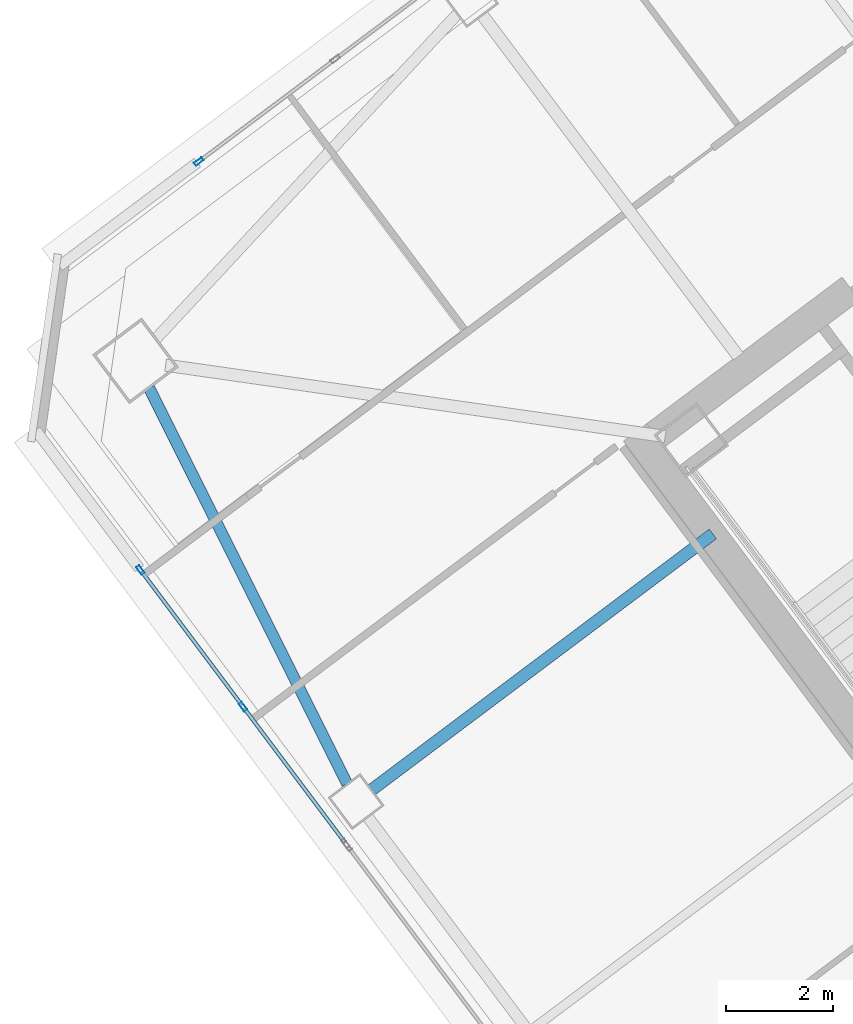
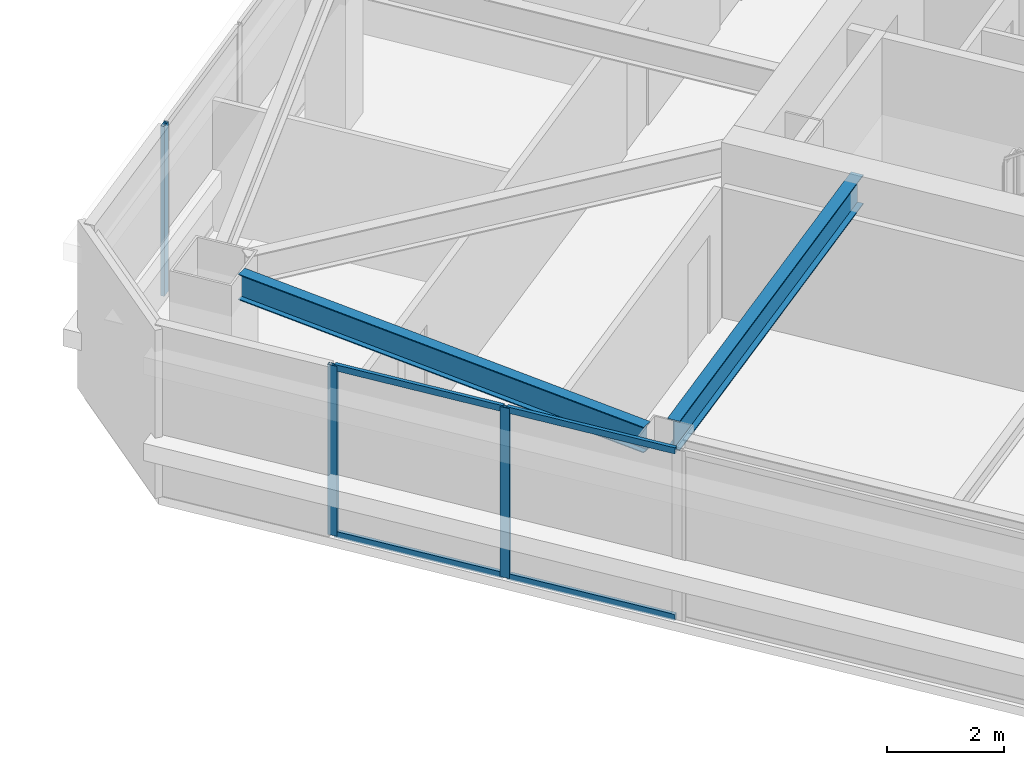
# One storey, part 21 of 43: 7 members, 2 beams, 2 elements without a shape of their own.
"""IFC4 building model written with IfcOpenShell, lengths in metres."""

from ifc_helpers import new_model, si_unit, direction, frame, origin, origin_2d, place, context, subcontext, project, spatial, hollow_rectangle, i_section, extrude, material, material_profile, profile_set, type_object, element, aggregate, save


model = new_model("IFC4")

# Units and contexts
model_context = context("Model", 3, precision=1e-05, world=origin(), true_north=direction((0.0, 1.0)))
body_context = subcontext(model_context, "Body", "Model", "MODEL_VIEW")
ifc_project = project(units=[si_unit("LENGTHUNIT", "METRE"), si_unit("AREAUNIT", "SQUARE_METRE"), si_unit("VOLUMEUNIT", "CUBIC_METRE"), si_unit("PLANEANGLEUNIT", "RADIAN"), si_unit("MASSUNIT", "GRAM", prefix="KILO")], contexts=[model_context])

# Site, building, storey
site_placement = place(None, origin())
site = spatial("IfcSite", under=ifc_project, at=site_placement, CompositionType="ELEMENT")
building_placement = place(site_placement, origin())
building = spatial("IfcBuilding", under=site, at=building_placement, Name="Tashvorn Skyway Center", CompositionType="ELEMENT")
storey_placement = place(building_placement, frame((0.0, 0.0, 160.550048828125)))
storey = spatial("IfcBuildingStorey", under=building, at=storey_placement, Name="L43", CompositionType="ELEMENT", Elevation=160.550048828125)

# Beams
ifc_material_1 = material(Name="Steel ASTM A992 Grade 50", Category="steel")
ifc_material_profile_1 = material_profile(ifc_material_1, i_section(OverallWidth=0.22998046875, OverallDepth=0.616943359375, WebThickness=0.01318359375, FlangeThickness=0.022216796875, at=origin_2d()), Name="W24X94")
ifc_profile_set_1 = profile_set([ifc_material_profile_1], Name="Steel ASTM A992 Grade 50")
beam_type_1 = type_object("IfcBeamType", Name="BM-BEAM-W24X94", PredefinedType="BEAM", material=ifc_profile_set_1)
beam_1_placement = place(storey_placement, frame((98.135986328125, 26.85205078125, 3.0615234375), z_axis=(0.799992675677, 0.60000976564, 0.0), x_axis=(-0.60000976564, 0.799992675677, 0.0)))
element("IfcBeam", 1, at=beam_1_placement, inside=storey, type_object=beam_type_1, Name="Tower 2 L43 Primary Floor Girder FC-W1", PredefinedType="BEAM", context=body_context, shape_type="SweptSolid", body=[
    extrude(i_section(OverallWidth=0.22998046875, OverallDepth=0.616943359375, WebThickness=0.01318359375, FlangeThickness=0.022216796875, at=origin_2d()), origin(), (0.0, 0.0, 1.0), 8.0),
])
ifc_material_profile_2 = material_profile(ifc_material_1, i_section(OverallWidth=0.2109375, OverallDepth=0.5390625, WebThickness=0.01171875, FlangeThickness=0.018798828125, at=origin_2d()), Name="W21X73")
ifc_profile_set_2 = profile_set([ifc_material_profile_2], Name="Steel ASTM A992 Grade 50")
beam_type_2 = type_object("IfcBeamType", Name="BM-SPANDREL-W21X73", PredefinedType="SPANDREL", material=ifc_profile_set_2)
beam_2_placement = place(storey_placement, frame((93.955078125, 34.390380859375, 3.100341796875), z_axis=(0.447648438059, -0.894209637559, 0.0), x_axis=(0.894209637559, 0.447648438059, 0.0)))
element("IfcBeam", 2, at=beam_2_placement, inside=storey, type_object=beam_type_2, Name="Tower 2 L43 Spandrel Beam 10", PredefinedType="SPANDREL", context=body_context, shape_type="SweptSolid", body=[
    extrude(i_section(OverallWidth=0.2109375, OverallDepth=0.5390625, WebThickness=0.01171875, FlangeThickness=0.018798828125, at=origin_2d()), origin(), (0.0, 0.0, 1.0), 8.308349609375),
])

# Curtain wall, members
ifc_material_2 = material(Name="Thermally broken bronze-anodized aluminium 6063-T6", Category="aluminium")
curtain_wall_type = type_object("IfcCurtainWallType", Name="CW-CW-Z4", PredefinedType="NOTDEFINED", material=ifc_material_2)
curtain_wall_1_placement = place(storey_placement, origin())
curtain_wall_1 = element("IfcCurtainWall", 3, at=curtain_wall_1_placement, inside=storey, type_object=curtain_wall_type, Name="Tower 2 L43 West Unitised Curtain Wall Glazing Group 3", PredefinedType="NOTDEFINED")
ifc_material_profile_3 = material_profile(ifc_material_2, hollow_rectangle(XDim=0.070068359375, YDim=0.179931640625, WallThickness=0.00390625, at=origin_2d()), Name="ALU-MULL-70x180")
ifc_profile_set_3 = profile_set([ifc_material_profile_3], Name="Thermally broken bronze-anodized aluminium 6063-T6")
member_type_1 = type_object("IfcMemberType", Name="CWM-CW-Z4", PredefinedType="MULLION", material=ifc_profile_set_3)
member_1_placement = place(storey_placement, frame((95.716064453125, 28.412109375, 0.0), z_axis=(0.0, 0.0, 1.0), x_axis=(-0.799999999998, -0.600000000002, 0.0)))
member_1 = element("IfcMember", 4, at=member_1_placement, type_object=member_type_1, Name="CW-Z4 mullion 2", PredefinedType="MULLION", context=body_context, shape_type="SweptSolid", body=[
    extrude(hollow_rectangle(XDim=0.070068359375, YDim=0.179931640625, WallThickness=0.00390625, at=origin_2d()), origin(), (0.0, 0.0, 1.0), 3.550048828125),
])
member_2_placement = place(storey_placement, frame((93.79296875, 30.97607421875, 0.0), z_axis=(0.0, 0.0, 1.0), x_axis=(-0.799999999998, -0.600000000002, 0.0)))
member_2 = element("IfcMember", 5, at=member_2_placement, type_object=member_type_1, Name="CW-Z4 mullion 3", PredefinedType="MULLION", context=body_context, shape_type="SweptSolid", body=[
    extrude(hollow_rectangle(XDim=0.070068359375, YDim=0.179931640625, WallThickness=0.00390625, at=origin_2d()), origin(), (0.0, 0.0, 1.0), 3.550048828125),
])

# Curtain wall, member
curtain_wall_2_placement = place(storey_placement, origin())
curtain_wall_2 = element("IfcCurtainWall", 6, at=curtain_wall_2_placement, inside=storey, type_object=curtain_wall_type, Name="Tower 2 L43 North Unitised Curtain Wall Glazing Group 1", PredefinedType="NOTDEFINED")
member_3_placement = place(storey_placement, frame((94.887939453125, 38.64111328125, 0.0), z_axis=(0.0, 0.0, 1.0), x_axis=(-0.600000000002, 0.799999999998, 0.0)))
member_3 = element("IfcMember", 7, at=member_3_placement, type_object=member_type_1, Name="CW-Z4 mullion 1", PredefinedType="MULLION", context=body_context, shape_type="SweptSolid", body=[
    extrude(hollow_rectangle(XDim=0.070068359375, YDim=0.179931640625, WallThickness=0.00390625, at=origin_2d()), origin(), (0.0, 0.0, 1.0), 3.550048828125),
])
aggregate(curtain_wall_2, [member_3])

# Member
ifc_material_profile_4 = material_profile(ifc_material_2, hollow_rectangle(XDim=0.070068359375, YDim=0.1298828125, WallThickness=0.00390625, at=origin_2d()), Name="ALU-TRAN-70x130")
ifc_profile_set_4 = profile_set([ifc_material_profile_4], Name="Thermally broken bronze-anodized aluminium 6063-T6")
member_type_2 = type_object("IfcMemberType", Name="CWT-CW-Z4", PredefinedType="USERDEFINED", material=ifc_profile_set_4)
member_4_placement = place(storey_placement, frame((97.617919921875, 25.8759765625, 0.034912109375), z_axis=(-0.599962618496, 0.800028034763, 0.0), x_axis=(-0.800028034763, -0.599962618496, 0.0)))
member_4 = element("IfcMember", 8, at=member_4_placement, type_object=member_type_2, Name="CW-Z4 transom 1.1", ObjectType="TRANSOM", PredefinedType="USERDEFINED", context=body_context, shape_type="SweptSolid", body=[
    extrude(hollow_rectangle(XDim=0.070068359375, YDim=0.1298828125, WallThickness=0.00390625, at=origin_2d()), origin(), (0.0, 0.0, 1.0), 3.135009765625),
])

member_5_placement = place(storey_placement, frame((97.617919921875, 25.8759765625, 3.514892578125), z_axis=(-0.599962618496, 0.800028034763, 0.0), x_axis=(-0.800028034763, -0.599962618496, 0.0)))
member_5 = element("IfcMember", 9, at=member_5_placement, type_object=member_type_2, Name="CW-Z4 transom 1.2", ObjectType="TRANSOM", PredefinedType="USERDEFINED", context=body_context, shape_type="SweptSolid", body=[
    extrude(hollow_rectangle(XDim=0.070068359375, YDim=0.1298828125, WallThickness=0.00390625, at=origin_2d()), origin(), (0.0, 0.0, 1.0), 3.135009765625),
])

member_6_placement = place(storey_placement, frame((95.695068359375, 28.43994140625, 0.034912109375), z_axis=(-0.600012459628, 0.799990655127, 0.0), x_axis=(-0.799990655127, -0.600012459628, 0.0)))
member_6 = element("IfcMember", 10, at=member_6_placement, type_object=member_type_2, Name="CW-Z4 transom 2.1", ObjectType="TRANSOM", PredefinedType="USERDEFINED", context=body_context, shape_type="SweptSolid", body=[
    extrude(hollow_rectangle(XDim=0.070068359375, YDim=0.1298828125, WallThickness=0.00390625, at=origin_2d()), origin(), (0.0, 0.0, 1.0), 3.135009765625),
])

member_7_placement = place(storey_placement, frame((95.695068359375, 28.43994140625, 3.514892578125), z_axis=(-0.600012459628, 0.799990655127, 0.0), x_axis=(-0.799990655127, -0.600012459628, 0.0)))
member_7 = element("IfcMember", 11, at=member_7_placement, type_object=member_type_2, Name="CW-Z4 transom 2.2", ObjectType="TRANSOM", PredefinedType="USERDEFINED", context=body_context, shape_type="SweptSolid", body=[
    extrude(hollow_rectangle(XDim=0.070068359375, YDim=0.1298828125, WallThickness=0.00390625, at=origin_2d()), origin(), (0.0, 0.0, 1.0), 3.135009765625),
])

aggregate(curtain_wall_1, [member_1, member_2, member_4, member_5, member_6, member_7])

save(model, "model.ifc")
